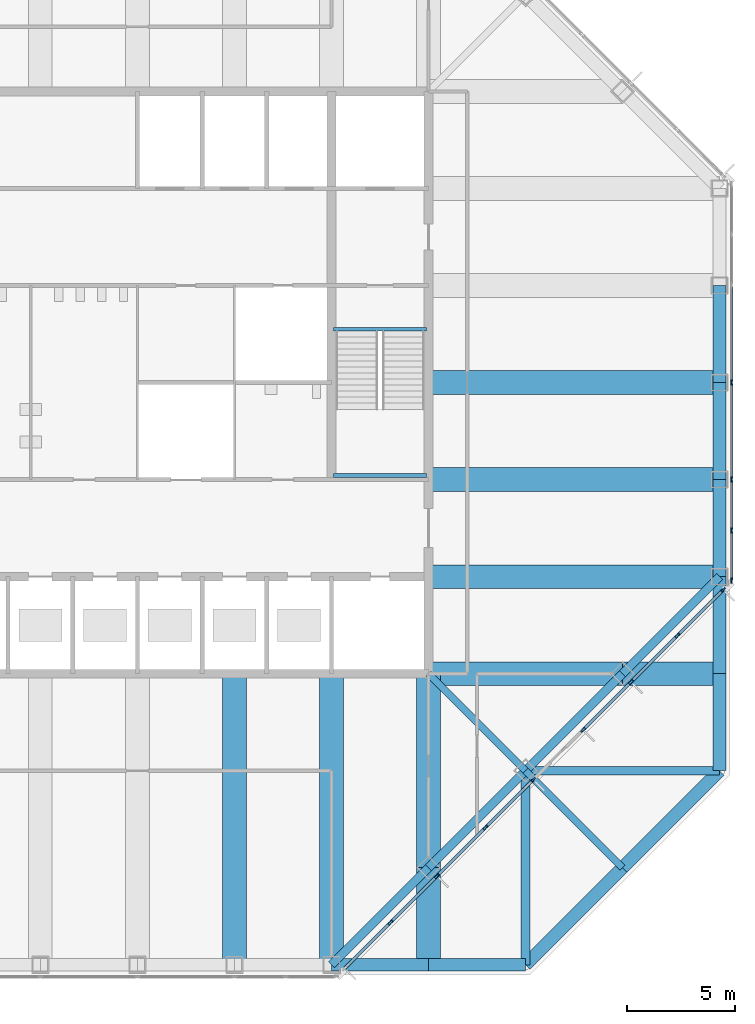
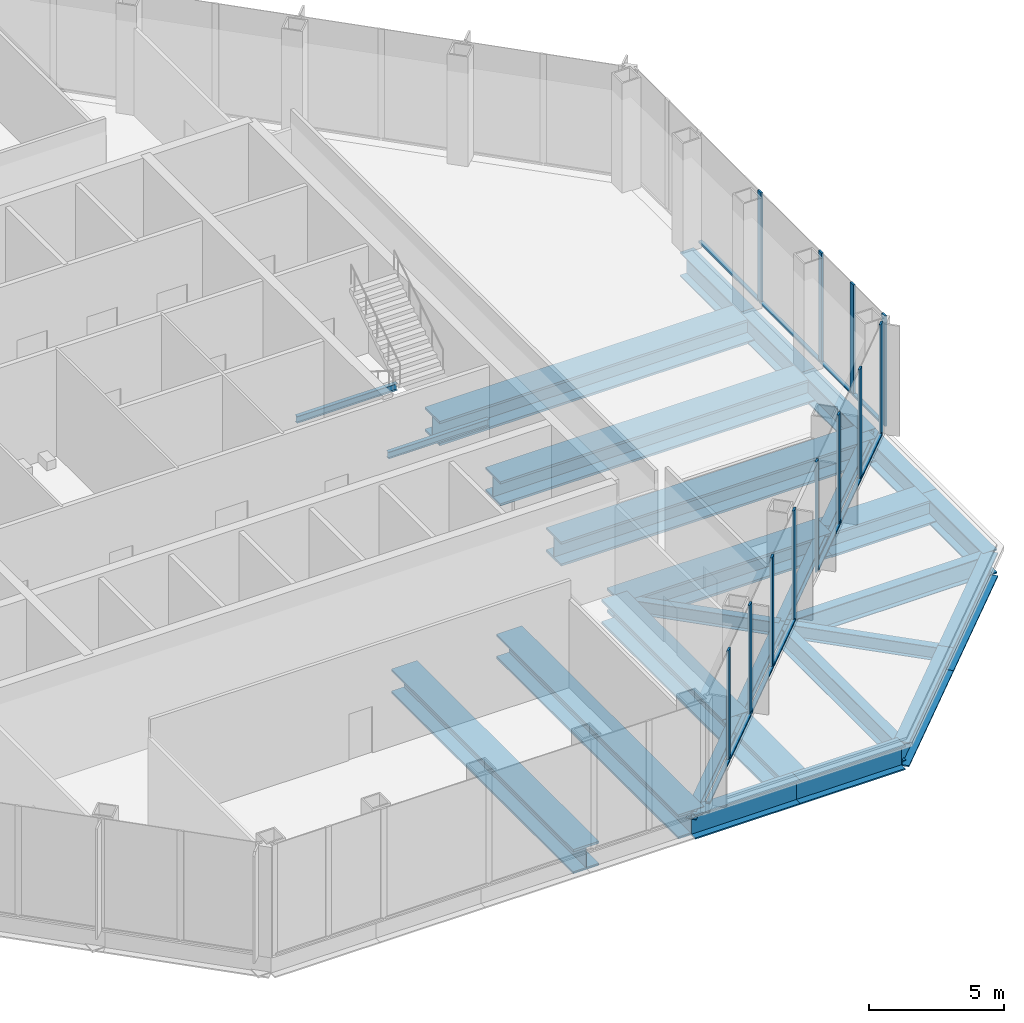
# One storey, part 3 of 12: 28 beams, 23 members, 3 elements without a shape of their own.
"""IFC4 building model written with IfcOpenShell, lengths in metres."""

from ifc_helpers import new_model, si_unit, direction, frame, origin, origin_2d, place, context, subcontext, project, spatial, rectangle, i_section, extrude, material, material_profile, profile_set, type_object, element, aggregate, save


model = new_model("IFC4")

# Units and contexts
model_context = context("Model", 3, precision=1e-05, world=origin(), true_north=direction((0.0, 1.0)))
body_context = subcontext(model_context, "Body", "Model", "MODEL_VIEW")
ifc_project = project(units=[si_unit("LENGTHUNIT", "METRE"), si_unit("AREAUNIT", "SQUARE_METRE"), si_unit("VOLUMEUNIT", "CUBIC_METRE"), si_unit("PLANEANGLEUNIT", "RADIAN"), si_unit("MASSUNIT", "GRAM", prefix="KILO")], contexts=[model_context])

# Site, building, storey
site_placement = place(None, origin())
site = spatial("IfcSite", under=ifc_project, at=site_placement, CompositionType="ELEMENT")
building_placement = place(site_placement, origin())
building = spatial("IfcBuilding", under=site, at=building_placement, Name="Corais Broadcast Tower", CompositionType="ELEMENT")
storey_placement = place(building_placement, frame((0.0, 0.0, 205.60009765625)))
storey = spatial("IfcBuildingStorey", under=building, at=storey_placement, Name="L47", CompositionType="ELEMENT", Elevation=205.60009765625)

# Beams
ifc_material_1 = material(Name="Steel ASTM A572 Grade 50", Category="steel")
ifc_material_profile_1 = material_profile(ifc_material_1, i_section(OverallWidth=0.323974609375, OverallDepth=0.611083984375, WebThickness=0.0126953125, FlangeThickness=0.01904296875, at=origin_2d()), Name="W610x155")
ifc_profile_set_1 = profile_set([ifc_material_profile_1], Name="Steel ASTM A572 Grade 50")
beam_type_1 = type_object("IfcBeamType", Name="Chamfer tie W610x155", PredefinedType="BEAM", material=ifc_profile_set_1)
beam_1_placement = place(storey_placement, frame((49.5, 4.5, -0.505615234375), z_axis=(-0.707106781187, 0.707106781187, 0.0), x_axis=(-0.707106781187, -0.707106781187, 0.0)))
element("IfcBeam", 1, at=beam_1_placement, inside=storey, type_object=beam_type_1, Name="B5 B/14 to C/13", PredefinedType="BEAM", context=body_context, shape_type="SweptSolid", body=[
    extrude(i_section(OverallWidth=0.323974609375, OverallDepth=0.611083984375, WebThickness=0.0126953125, FlangeThickness=0.01904296875, at=origin_2d()), origin(), (0.0, 0.0, 1.0), 6.364013671875),
])
ifc_material_2 = material(Name="Steel ASTM A572 Grade 50", Category="steel")
ifc_material_profile_2 = material_profile(ifc_material_2, i_section(OverallWidth=0.323974609375, OverallDepth=0.611083984375, WebThickness=0.0126953125, FlangeThickness=0.01904296875, at=origin_2d()), Name="W610x155")
ifc_profile_set_2 = profile_set([ifc_material_profile_2], Name="Steel ASTM A572 Grade 50")
beam_type_2 = type_object("IfcBeamType", Name="Corner diagonal W610x155", PredefinedType="BEAM", material=ifc_profile_set_2)
beam_2_placement = place(storey_placement, frame((45.0, 9.0, -0.485595703125), z_axis=(-0.707106781187, 0.707106781187, 0.0), x_axis=(-0.707106781187, -0.707106781187, 0.0)))
element("IfcBeam", 2, at=beam_2_placement, inside=storey, type_object=beam_type_2, Name="B6 C/13 to D/12", PredefinedType="BEAM", context=body_context, shape_type="SweptSolid", body=[
    extrude(i_section(OverallWidth=0.323974609375, OverallDepth=0.611083984375, WebThickness=0.0126953125, FlangeThickness=0.01904296875, at=origin_2d()), origin(), (0.0, 0.0, 1.0), 6.364013671875),
])
ifc_material_3 = material(Name="Steel ASTM A572 Grade 50", Category="steel")
ifc_material_profile_3 = material_profile(ifc_material_3, i_section(OverallWidth=0.1650390625, OverallDepth=0.31005859375, WebThickness=0.005859375, FlangeThickness=0.009765625, at=origin_2d()), Name="W310x38.7")
ifc_profile_set_3 = profile_set([ifc_material_profile_3], Name="Steel ASTM A572 Grade 50")
beam_type_3 = type_object("IfcBeamType", Name="Landing trimmer W310x38.7", PredefinedType="BEAM", material=ifc_profile_set_3)
for number, where, z_axis, x_axis, name in (
    (3, (36.10009765625, 29.47509765625, -0.35498046875), (1.0, 0.0, 0.0), (0.0, 1.0, 0.0), "LT1 stair B landing trimmer L47"),
    (4, (36.10009765625, 22.68994140625, 2.14501953125), (1.0, 0.0, 0.0), (0.0, 1.0, 0.0), "LT1 stair B half landing trimmer L47"),
):
    element("IfcBeam", number, at=place(storey_placement, frame(where, z_axis=z_axis, x_axis=x_axis)), inside=storey, type_object=beam_type_3, Name=name, PredefinedType="BEAM", context=body_context, shape_type="SweptSolid", body=[
        extrude(i_section(OverallWidth=0.1650390625, OverallDepth=0.31005859375, WebThickness=0.005859375, FlangeThickness=0.009765625, at=origin_2d()), origin(), (0.0, 0.0, 1.0), 4.2998046875),
    ])

# Curtain wall, members
ifc_material_4 = material(Name="Aluminium and glass", Category="aluminium")
curtain_wall_type = type_object("IfcCurtainWallType", Name="Sky lobby curtain wall CW4", PredefinedType="NOTDEFINED", material=ifc_material_4)
curtain_wall_1_placement = place(storey_placement, origin())
curtain_wall_1 = element("IfcCurtainWall", 5, at=curtain_wall_1_placement, inside=storey, type_object=curtain_wall_type, Name="CW4 curtain wall L47 6", PredefinedType="NOTDEFINED")
ifc_material_5 = material(Name="Aluminium 6063-T6", Category="aluminium")
ifc_material_profile_4 = material_profile(ifc_material_5, rectangle(XDim=0.080078125, YDim=0.25, at=origin_2d()), Name="Mullion CW4 80x250")
ifc_profile_set_4 = profile_set([ifc_material_profile_4], Name="Aluminium 6063-T6")
member_type_1 = type_object("IfcMemberType", Name="Mullion CW4 80x250", PredefinedType="MULLION", material=ifc_profile_set_4)
member_1_placement = place(storey_placement, frame((54.550048828125, 27.0, 0.0), z_axis=(0.0, 0.0, 1.0), x_axis=(1.0, 0.0, 0.0)))
member_1 = element("IfcMember", 6, at=member_1_placement, type_object=member_type_1, Name="CW4 mullion 4", PredefinedType="MULLION", context=body_context, shape_type="SweptSolid", body=[
    extrude(rectangle(XDim=0.080078125, YDim=0.25, at=origin_2d()), origin(), (0.0, 0.0, 1.0), 5.0),
])
member_2_placement = place(storey_placement, frame((54.550048828125, 22.5, 0.0), z_axis=(0.0, 0.0, 1.0), x_axis=(1.0, 0.0, 0.0)))
member_2 = element("IfcMember", 7, at=member_2_placement, type_object=member_type_1, Name="CW4 mullion 5", PredefinedType="MULLION", context=body_context, shape_type="SweptSolid", body=[
    extrude(rectangle(XDim=0.080078125, YDim=0.25, at=origin_2d()), origin(), (0.0, 0.0, 1.0), 5.0),
])
member_3_placement = place(storey_placement, frame((54.550048828125, 20.135986328125, 0.0), z_axis=(0.0, 0.0, 1.0), x_axis=(1.0, 0.0, 0.0)))
member_3 = element("IfcMember", 8, at=member_3_placement, type_object=member_type_1, Name="CW4 mullion 6", PredefinedType="MULLION", context=body_context, shape_type="SweptSolid", body=[
    extrude(rectangle(XDim=0.080078125, YDim=0.25, at=origin_2d()), origin(), (0.0, 0.0, 1.0), 5.0),
])
member_4_placement = place(storey_placement, frame((54.550048828125, 17.812255859375, 0.0), z_axis=(0.0, 0.0, 1.0), x_axis=(1.0, 0.0, 0.0)))
member_4 = element("IfcMember", 9, at=member_4_placement, type_object=member_type_1, Name="CW4 mullion 7", PredefinedType="MULLION", context=body_context, shape_type="SweptSolid", body=[
    extrude(rectangle(XDim=0.080078125, YDim=0.25, at=origin_2d()), origin(), (0.0, 0.0, 1.0), 5.0),
])

curtain_wall_2_placement = place(storey_placement, origin())
curtain_wall_2 = element("IfcCurtainWall", 10, at=curtain_wall_2_placement, inside=storey, type_object=curtain_wall_type, Name="CW4 curtain wall L47 7", PredefinedType="NOTDEFINED")
member_5_placement = place(storey_placement, frame((54.168212890625, 17.390380859375, 0.0), z_axis=(0.0, 0.0, 1.0), x_axis=(0.707106781187, -0.707106781187, 0.0)))
member_5 = element("IfcMember", 11, at=member_5_placement, type_object=member_type_1, Name="CW4 mullion 1", PredefinedType="MULLION", context=body_context, shape_type="SweptSolid", body=[
    extrude(rectangle(XDim=0.080078125, YDim=0.25, at=origin_2d()), origin(), (0.0, 0.0, 1.0), 5.0),
])
member_6_placement = place(storey_placement, frame((52.042724609375, 15.264892578125, 0.0), z_axis=(0.0, 0.0, 1.0), x_axis=(0.707106781187, -0.707106781187, 0.0)))
member_6 = element("IfcMember", 12, at=member_6_placement, type_object=member_type_1, Name="CW4 mullion 2", PredefinedType="MULLION", context=body_context, shape_type="SweptSolid", body=[
    extrude(rectangle(XDim=0.080078125, YDim=0.25, at=origin_2d()), origin(), (0.0, 0.0, 1.0), 5.0),
])
member_7_placement = place(storey_placement, frame((49.888916015625, 13.111083984375, 0.0), z_axis=(0.0, 0.0, 1.0), x_axis=(0.707106781187, -0.707106781187, 0.0)))
member_7 = element("IfcMember", 13, at=member_7_placement, type_object=member_type_1, Name="CW4 mullion 3", PredefinedType="MULLION", context=body_context, shape_type="SweptSolid", body=[
    extrude(rectangle(XDim=0.080078125, YDim=0.25, at=origin_2d()), origin(), (0.0, 0.0, 1.0), 5.0),
])
member_8_placement = place(storey_placement, frame((47.667236328125, 10.889404296875, 0.0), z_axis=(0.0, 0.0, 1.0), x_axis=(0.707106781187, -0.707106781187, 0.0)))
member_8 = element("IfcMember", 14, at=member_8_placement, type_object=member_type_1, Name="CW4 mullion 4", PredefinedType="MULLION", context=body_context, shape_type="SweptSolid", body=[
    extrude(rectangle(XDim=0.080078125, YDim=0.25, at=origin_2d()), origin(), (0.0, 0.0, 1.0), 5.0),
])

curtain_wall_3_placement = place(storey_placement, origin())
curtain_wall_3 = element("IfcCurtainWall", 15, at=curtain_wall_3_placement, inside=storey, type_object=curtain_wall_type, Name="CW4 curtain wall L47 7", PredefinedType="NOTDEFINED")
member_9_placement = place(storey_placement, frame((45.360595703125, 8.582763671875, 0.0), z_axis=(0.0, 0.0, 1.0), x_axis=(0.707106781187, -0.707106781187, 0.0)))
member_9 = element("IfcMember", 16, at=member_9_placement, type_object=member_type_1, Name="CW4 mullion 1", PredefinedType="MULLION", context=body_context, shape_type="SweptSolid", body=[
    extrude(rectangle(XDim=0.080078125, YDim=0.25, at=origin_2d()), origin(), (0.0, 0.0, 1.0), 5.0),
])
member_10_placement = place(storey_placement, frame((43.138916015625, 6.361083984375, 0.0), z_axis=(0.0, 0.0, 1.0), x_axis=(0.707106781187, -0.707106781187, 0.0)))
member_10 = element("IfcMember", 17, at=member_10_placement, type_object=member_type_1, Name="CW4 mullion 2", PredefinedType="MULLION", context=body_context, shape_type="SweptSolid", body=[
    extrude(rectangle(XDim=0.080078125, YDim=0.25, at=origin_2d()), origin(), (0.0, 0.0, 1.0), 5.0),
])
member_11_placement = place(storey_placement, frame((40.888916015625, 4.111083984375, 0.0), z_axis=(0.0, 0.0, 1.0), x_axis=(0.707106781187, -0.707106781187, 0.0)))
member_11 = element("IfcMember", 18, at=member_11_placement, type_object=member_type_1, Name="CW4 mullion 3", PredefinedType="MULLION", context=body_context, shape_type="SweptSolid", body=[
    extrude(rectangle(XDim=0.080078125, YDim=0.25, at=origin_2d()), origin(), (0.0, 0.0, 1.0), 5.0),
])
member_12_placement = place(storey_placement, frame((38.735107421875, 1.957275390625, 0.0), z_axis=(0.0, 0.0, 1.0), x_axis=(0.707106781187, -0.707106781187, 0.0)))
member_12 = element("IfcMember", 19, at=member_12_placement, type_object=member_type_1, Name="CW4 mullion 4", PredefinedType="MULLION", context=body_context, shape_type="SweptSolid", body=[
    extrude(rectangle(XDim=0.080078125, YDim=0.25, at=origin_2d()), origin(), (0.0, 0.0, 1.0), 5.0),
])

# Beams
ifc_material_6 = material(Name="Steel ASTM A572 Grade 50", Category="steel")
ifc_material_profile_5 = material_profile(ifc_material_6, i_section(OverallWidth=0.40087890625, OverallDepth=0.386962890625, WebThickness=0.02099609375, FlangeThickness=0.033203125, at=origin_2d()), Name="W360x262")
ifc_profile_set_5 = profile_set([ifc_material_profile_5], Name="Steel ASTM A572 Grade 50")
beam_type_4 = type_object("IfcBeamType", Name="Transfer chord W360x262", PredefinedType="BEAM", material=ifc_profile_set_5)
for number, where, z_axis, x_axis, name in (
    (20, (36.0, 0.0, -0.37353515625), (0.707106781187, 0.707106781187, 0.0), (-0.707106781187, 0.707106781187, 0.0), "TC1 A/11 to B/12"),
    (21, (40.5, 4.5, -0.37353515625), (0.707106781187, 0.707106781187, 0.0), (-0.707106781187, 0.707106781187, 0.0), "TC1 B/12 to C/13"),
    (22, (45.0, 9.0, -0.37353515625), (0.707106781187, 0.707106781187, 0.0), (-0.707106781187, 0.707106781187, 0.0), "TC1 C/13 to D/14"),
    (23, (49.5, 13.5, -0.37353515625), (0.707106781187, 0.707106781187, 0.0), (-0.707106781187, 0.707106781187, 0.0), "TC1 D/14 to E/15"),
):
    element("IfcBeam", number, at=place(storey_placement, frame(where, z_axis=z_axis, x_axis=x_axis)), inside=storey, type_object=beam_type_4, Name=name, PredefinedType="BEAM", context=body_context, shape_type="SweptSolid", body=[
        extrude(i_section(OverallWidth=0.40087890625, OverallDepth=0.386962890625, WebThickness=0.02099609375, FlangeThickness=0.033203125, at=origin_2d()), origin(), (0.0, 0.0, 1.0), 6.364013671875),
    ])
ifc_material_7 = material(Name="Steel ASTM A572 Grade 50", Category="steel")
ifc_material_profile_6 = material_profile(ifc_material_7, i_section(OverallWidth=0.408935546875, OverallDepth=0.927001953125, WebThickness=0.0166015625, FlangeThickness=0.030029296875, at=origin_2d()), Name="W920x289")
ifc_profile_set_6 = profile_set([ifc_material_profile_6], Name="Steel ASTM A572 Grade 50")
beam_type_5 = type_object("IfcBeamType", Name="Transfer corner girder W920x289", PredefinedType="BEAM", material=ifc_profile_set_6)
for number, where, z_axis, x_axis, name in (
    (24, (45.0, 0.0, -0.66357421875), (0.0, 1.0, 0.0), (-1.0, 0.0, 0.0), "B14 A/13 to C/13"),
    (25, (54.0, 9.0, -0.66357421875), (-1.0, 0.0, 0.0), (0.0, -1.0, 0.0), "B14 C/15 to C/13"),
):
    element("IfcBeam", number, at=place(storey_placement, frame(where, z_axis=z_axis, x_axis=x_axis)), inside=storey, type_object=beam_type_5, Name=name, PredefinedType="BEAM", context=body_context, shape_type="SweptSolid", body=[
        extrude(i_section(OverallWidth=0.408935546875, OverallDepth=0.927001953125, WebThickness=0.0166015625, FlangeThickness=0.030029296875, at=origin_2d()), origin(), (0.0, 0.0, 1.0), 9.0),
    ])
ifc_material_8 = material(Name="Steel ASTM A572 Grade 50", Category="steel")
ifc_material_profile_7 = material_profile(ifc_material_8, i_section(OverallWidth=1.10009765625, OverallDepth=1.10009765625, WebThickness=0.030029296875, FlangeThickness=0.10009765625, at=origin_2d()), Name="PG1100x1939")
ifc_profile_set_7 = profile_set([ifc_material_profile_7], Name="Steel ASTM A572 Grade 50")
beam_type_6 = type_object("IfcBeamType", Name="Transfer floor beam PG1100x1939", PredefinedType="BEAM", material=ifc_profile_set_7)
for number, where, z_axis, x_axis, name in (
    (26, (31.5, 0.0, -0.72998046875), (0.0, 1.0, 0.0), (-1.0, 0.0, 0.0), "B19 A/10 to D/10"),
    (27, (36.0, 0.0, -0.72998046875), (0.0, 1.0, 0.0), (-1.0, 0.0, 0.0), "B19 A/11 to D/11"),
):
    element("IfcBeam", number, at=place(storey_placement, frame(where, z_axis=z_axis, x_axis=x_axis)), inside=storey, type_object=beam_type_6, Name=name, PredefinedType="BEAM", context=body_context, shape_type="SweptSolid", body=[
        extrude(i_section(OverallWidth=1.10009765625, OverallDepth=1.10009765625, WebThickness=0.030029296875, FlangeThickness=0.10009765625, at=origin_2d()), origin(), (0.0, 0.0, 1.0), 13.5),
    ])
beam_3_placement = place(storey_placement, frame((40.5, 0.0, -0.75), z_axis=(0.0, 1.0, 0.0), x_axis=(-1.0, 0.0, 0.0)))
element("IfcBeam", 28, at=beam_3_placement, inside=storey, type_object=beam_type_6, Name="B19 A/12 to B/12", PredefinedType="BEAM", context=body_context, shape_type="SweptSolid", body=[
    extrude(i_section(OverallWidth=1.10009765625, OverallDepth=1.10009765625, WebThickness=0.030029296875, FlangeThickness=0.10009765625, at=origin_2d()), origin(), (0.0, 0.0, 1.0), 4.5),
])
for number, where, z_axis, x_axis, name in (
    (29, (40.5, 4.5, -0.72998046875), (0.0, 1.0, 0.0), (-1.0, 0.0, 0.0), "B19 B/12 to D/12"),
    (30, (49.5, 13.5, -0.72998046875), (-1.0, 0.0, 0.0), (0.0, -1.0, 0.0), "B19 D/14 to D/12"),
):
    element("IfcBeam", number, at=place(storey_placement, frame(where, z_axis=z_axis, x_axis=x_axis)), inside=storey, type_object=beam_type_6, Name=name, PredefinedType="BEAM", context=body_context, shape_type="SweptSolid", body=[
        extrude(i_section(OverallWidth=1.10009765625, OverallDepth=1.10009765625, WebThickness=0.030029296875, FlangeThickness=0.10009765625, at=origin_2d()), origin(), (0.0, 0.0, 1.0), 9.0),
    ])
beam_4_placement = place(storey_placement, frame((54.0, 13.5, -0.75), z_axis=(-1.0, 0.0, 0.0), x_axis=(0.0, -1.0, 0.0)))
element("IfcBeam", 31, at=beam_4_placement, inside=storey, type_object=beam_type_6, Name="B19 D/15 to D/14", PredefinedType="BEAM", context=body_context, shape_type="SweptSolid", body=[
    extrude(i_section(OverallWidth=1.10009765625, OverallDepth=1.10009765625, WebThickness=0.030029296875, FlangeThickness=0.10009765625, at=origin_2d()), origin(), (0.0, 0.0, 1.0), 4.5),
])
for number, where, z_axis, x_axis, name in (
    (32, (54.0, 18.0, -0.72998046875), (-1.0, 0.0, 0.0), (0.0, -1.0, 0.0), "B19 E/15 to E/12"),
    (33, (54.0, 22.5, -0.72998046875), (-1.0, 0.0, 0.0), (0.0, -1.0, 0.0), "B19 F/15 to F/12"),
    (34, (54.0, 27.0, -0.72998046875), (-1.0, 0.0, 0.0), (0.0, -1.0, 0.0), "B19 G/15 to G/12"),
):
    element("IfcBeam", number, at=place(storey_placement, frame(where, z_axis=z_axis, x_axis=x_axis)), inside=storey, type_object=beam_type_6, Name=name, PredefinedType="BEAM", context=body_context, shape_type="SweptSolid", body=[
        extrude(i_section(OverallWidth=1.10009765625, OverallDepth=1.10009765625, WebThickness=0.030029296875, FlangeThickness=0.10009765625, at=origin_2d()), origin(), (0.0, 0.0, 1.0), 13.5),
    ])
ifc_material_9 = material(Name="Steel ASTM A572 Grade 50", Category="steel")
ifc_material_profile_8 = material_profile(ifc_material_9, i_section(OverallWidth=0.60009765625, OverallDepth=1.10009765625, WebThickness=0.030029296875, FlangeThickness=0.06005859375, at=origin_2d()), Name="PG1100x796")
ifc_profile_set_8 = profile_set([ifc_material_profile_8], Name="Steel ASTM A572 Grade 50")
beam_type_7 = type_object("IfcBeamType", Name="Transfer spandrel PG1100x796", PredefinedType="BEAM", material=ifc_profile_set_8)
for number, where, z_axis, x_axis, name in (
    (35, (36.0, 0.0, -0.75), (1.0, 0.0, 0.0), (0.0, 1.0, 0.0), "SB5 A/11 to A/12"),
    (36, (40.5, 0.0, -0.75), (1.0, 0.0, 0.0), (0.0, 1.0, 0.0), "SB5 A/12 to A/13"),
):
    element("IfcBeam", number, at=place(storey_placement, frame(where, z_axis=z_axis, x_axis=x_axis)), inside=storey, type_object=beam_type_7, Name=name, PredefinedType="BEAM", context=body_context, shape_type="SweptSolid", body=[
        extrude(i_section(OverallWidth=0.60009765625, OverallDepth=1.10009765625, WebThickness=0.030029296875, FlangeThickness=0.06005859375, at=origin_2d()), origin(), (0.0, 0.0, 1.0), 4.5),
    ])
for number, where, z_axis, x_axis, name in (
    (37, (45.0, 0.0, -0.75), (0.707106781187, 0.707106781187, 0.0), (-0.707106781187, 0.707106781187, 0.0), "SB5 A/13 to B/14"),
    (38, (49.5, 4.5, -0.75), (0.707106781187, 0.707106781187, 0.0), (-0.707106781187, 0.707106781187, 0.0), "SB5 B/14 to C/15"),
):
    element("IfcBeam", number, at=place(storey_placement, frame(where, z_axis=z_axis, x_axis=x_axis)), inside=storey, type_object=beam_type_7, Name=name, PredefinedType="BEAM", context=body_context, shape_type="SweptSolid", body=[
        extrude(i_section(OverallWidth=0.60009765625, OverallDepth=1.10009765625, WebThickness=0.030029296875, FlangeThickness=0.06005859375, at=origin_2d()), origin(), (0.0, 0.0, 1.0), 6.364013671875),
    ])
for number, where, z_axis, x_axis, name in (
    (39, (54.0, 13.5, -0.75), (0.0, 1.0, 0.0), (-1.0, 0.0, 0.0), "SB5 D/15 to E/15"),
    (40, (54.0, 18.0, -0.72998046875), (0.0, 1.0, 0.0), (-1.0, 0.0, 0.0), "SB5 E/15 to F/15"),
    (41, (54.0, 22.5, -0.72998046875), (0.0, 1.0, 0.0), (-1.0, 0.0, 0.0), "SB5 F/15 to G/15"),
    (42, (54.0, 27.0, -0.72998046875), (0.0, 1.0, 0.0), (-1.0, 0.0, 0.0), "SB5 G/15 to H/15"),
    (43, (54.0, 9.0, -0.75), (0.0, 1.0, 0.0), (-1.0, 0.0, 0.0), "SB5 C/15 to D/15"),
):
    element("IfcBeam", number, at=place(storey_placement, frame(where, z_axis=z_axis, x_axis=x_axis)), inside=storey, type_object=beam_type_7, Name=name, PredefinedType="BEAM", context=body_context, shape_type="SweptSolid", body=[
        extrude(i_section(OverallWidth=0.60009765625, OverallDepth=1.10009765625, WebThickness=0.030029296875, FlangeThickness=0.06005859375, at=origin_2d()), origin(), (0.0, 0.0, 1.0), 4.5),
    ])

# Member
ifc_material_10 = material(Name="Aluminium 6063-T6", Category="aluminium")
ifc_material_profile_9 = material_profile(ifc_material_10, rectangle(XDim=0.159912109375, YDim=0.080078125, at=origin_2d()), Name="Transom CW4 80x160")
ifc_profile_set_9 = profile_set([ifc_material_profile_9], Name="Aluminium 6063-T6")
member_type_2 = type_object("IfcMemberType", Name="Transom CW4 80x160", PredefinedType="USERDEFINED", material=ifc_profile_set_9)
member_13_placement = place(storey_placement, frame((54.550048828125, 31.4599609375, 0.039794921875), z_axis=(0.0, -1.0, 0.0), x_axis=(1.0, 0.0, 0.0)))
member_13 = element("IfcMember", 44, at=member_13_placement, type_object=member_type_2, Name="CW4 transom 3.1", ObjectType="TRANSOM", PredefinedType="USERDEFINED", context=body_context, shape_type="SweptSolid", body=[
    extrude(rectangle(XDim=0.159912109375, YDim=0.080078125, at=origin_2d()), origin(), (0.0, 0.0, 1.0), 4.419921875),
])

member_14_placement = place(storey_placement, frame((54.550048828125, 26.9599609375, 0.039794921875), z_axis=(0.0, -1.0, 0.0), x_axis=(1.0, 0.0, 0.0)))
member_14 = element("IfcMember", 45, at=member_14_placement, type_object=member_type_2, Name="CW4 transom 4.1", ObjectType="TRANSOM", PredefinedType="USERDEFINED", context=body_context, shape_type="SweptSolid", body=[
    extrude(rectangle(XDim=0.159912109375, YDim=0.080078125, at=origin_2d()), origin(), (0.0, 0.0, 1.0), 4.419921875),
])

member_15_placement = place(storey_placement, frame((54.550048828125, 22.4599609375, 0.039794921875), z_axis=(0.0, -1.0, 0.0), x_axis=(1.0, 0.0, 0.0)))
member_15 = element("IfcMember", 46, at=member_15_placement, type_object=member_type_2, Name="CW4 transom 5.1", ObjectType="TRANSOM", PredefinedType="USERDEFINED", context=body_context, shape_type="SweptSolid", body=[
    extrude(rectangle(XDim=0.159912109375, YDim=0.080078125, at=origin_2d()), origin(), (0.0, 0.0, 1.0), 2.283935546875),
])

member_16_placement = place(storey_placement, frame((54.550048828125, 20.09619140625, 0.039794921875), z_axis=(0.0, -1.0, 0.0), x_axis=(1.0, 0.0, 0.0)))
member_16 = element("IfcMember", 47, at=member_16_placement, type_object=member_type_2, Name="CW4 transom 6.1", ObjectType="TRANSOM", PredefinedType="USERDEFINED", context=body_context, shape_type="SweptSolid", body=[
    extrude(rectangle(XDim=0.159912109375, YDim=0.080078125, at=origin_2d()), origin(), (0.0, 0.0, 1.0), 2.243896484375),
])

aggregate(curtain_wall_1, [member_1, member_2, member_3, member_4, member_13, member_14, member_15, member_16])

member_17_placement = place(storey_placement, frame((54.139892578125, 17.362060546875, 0.039794921875), z_axis=(-0.707106781187, -0.707106781187, 0.0), x_axis=(0.707106781187, -0.707106781187, 0.0)))
member_17 = element("IfcMember", 48, at=member_17_placement, type_object=member_type_2, Name="CW4 transom 1.1", ObjectType="TRANSOM", PredefinedType="USERDEFINED", context=body_context, shape_type="SweptSolid", body=[
    extrude(rectangle(XDim=0.159912109375, YDim=0.080078125, at=origin_2d()), origin(), (0.0, 0.0, 1.0), 2.92578125),
])

member_18_placement = place(storey_placement, frame((52.014404296875, 15.236572265625, 0.039794921875), z_axis=(-0.707106781187, -0.707106781187, 0.0), x_axis=(0.707106781187, -0.707106781187, 0.0)))
member_18 = element("IfcMember", 49, at=member_18_placement, type_object=member_type_2, Name="CW4 transom 2.1", ObjectType="TRANSOM", PredefinedType="USERDEFINED", context=body_context, shape_type="SweptSolid", body=[
    extrude(rectangle(XDim=0.159912109375, YDim=0.080078125, at=origin_2d()), origin(), (0.0, 0.0, 1.0), 2.9658203125),
])

member_19_placement = place(storey_placement, frame((49.860595703125, 13.082763671875, 0.039794921875), z_axis=(-0.707106781187, -0.707106781187, 0.0), x_axis=(0.707106781187, -0.707106781187, 0.0)))
member_19 = element("IfcMember", 50, at=member_19_placement, type_object=member_type_2, Name="CW4 transom 3.1", ObjectType="TRANSOM", PredefinedType="USERDEFINED", context=body_context, shape_type="SweptSolid", body=[
    extrude(rectangle(XDim=0.159912109375, YDim=0.080078125, at=origin_2d()), origin(), (0.0, 0.0, 1.0), 3.061767578125),
])

aggregate(curtain_wall_2, [member_5, member_6, member_7, member_8, member_17, member_18, member_19])

member_20_placement = place(storey_placement, frame((45.332275390625, 8.554443359375, 0.039794921875), z_axis=(-0.707106781187, -0.707106781187, 0.0), x_axis=(0.707106781187, -0.707106781187, 0.0)))
member_20 = element("IfcMember", 51, at=member_20_placement, type_object=member_type_2, Name="CW4 transom 1.1", ObjectType="TRANSOM", PredefinedType="USERDEFINED", context=body_context, shape_type="SweptSolid", body=[
    extrude(rectangle(XDim=0.159912109375, YDim=0.080078125, at=origin_2d()), origin(), (0.0, 0.0, 1.0), 3.061767578125),
])

member_21_placement = place(storey_placement, frame((43.110595703125, 6.332763671875, 0.039794921875), z_axis=(-0.707106781187, -0.707106781187, 0.0), x_axis=(0.707106781187, -0.707106781187, 0.0)))
member_21 = element("IfcMember", 52, at=member_21_placement, type_object=member_type_2, Name="CW4 transom 2.1", ObjectType="TRANSOM", PredefinedType="USERDEFINED", context=body_context, shape_type="SweptSolid", body=[
    extrude(rectangle(XDim=0.159912109375, YDim=0.080078125, at=origin_2d()), origin(), (0.0, 0.0, 1.0), 3.101806640625),
])

member_22_placement = place(storey_placement, frame((40.860595703125, 4.082763671875, 0.039794921875), z_axis=(-0.707106781187, -0.707106781187, 0.0), x_axis=(0.707106781187, -0.707106781187, 0.0)))
member_22 = element("IfcMember", 53, at=member_22_placement, type_object=member_type_2, Name="CW4 transom 3.1", ObjectType="TRANSOM", PredefinedType="USERDEFINED", context=body_context, shape_type="SweptSolid", body=[
    extrude(rectangle(XDim=0.159912109375, YDim=0.080078125, at=origin_2d()), origin(), (0.0, 0.0, 1.0), 2.9658203125),
])

member_23_placement = place(storey_placement, frame((38.706787109375, 1.928955078125, 0.039794921875), z_axis=(-0.707106781187, -0.707106781187, 0.0), x_axis=(0.707106781187, -0.707106781187, 0.0)))
member_23 = element("IfcMember", 54, at=member_23_placement, type_object=member_type_2, Name="CW4 transom 4.1", ObjectType="TRANSOM", PredefinedType="USERDEFINED", context=body_context, shape_type="SweptSolid", body=[
    extrude(rectangle(XDim=0.159912109375, YDim=0.080078125, at=origin_2d()), origin(), (0.0, 0.0, 1.0), 2.92578125),
])

aggregate(curtain_wall_3, [member_9, member_10, member_11, member_12, member_20, member_21, member_22, member_23])

save(model, "model.ifc")
